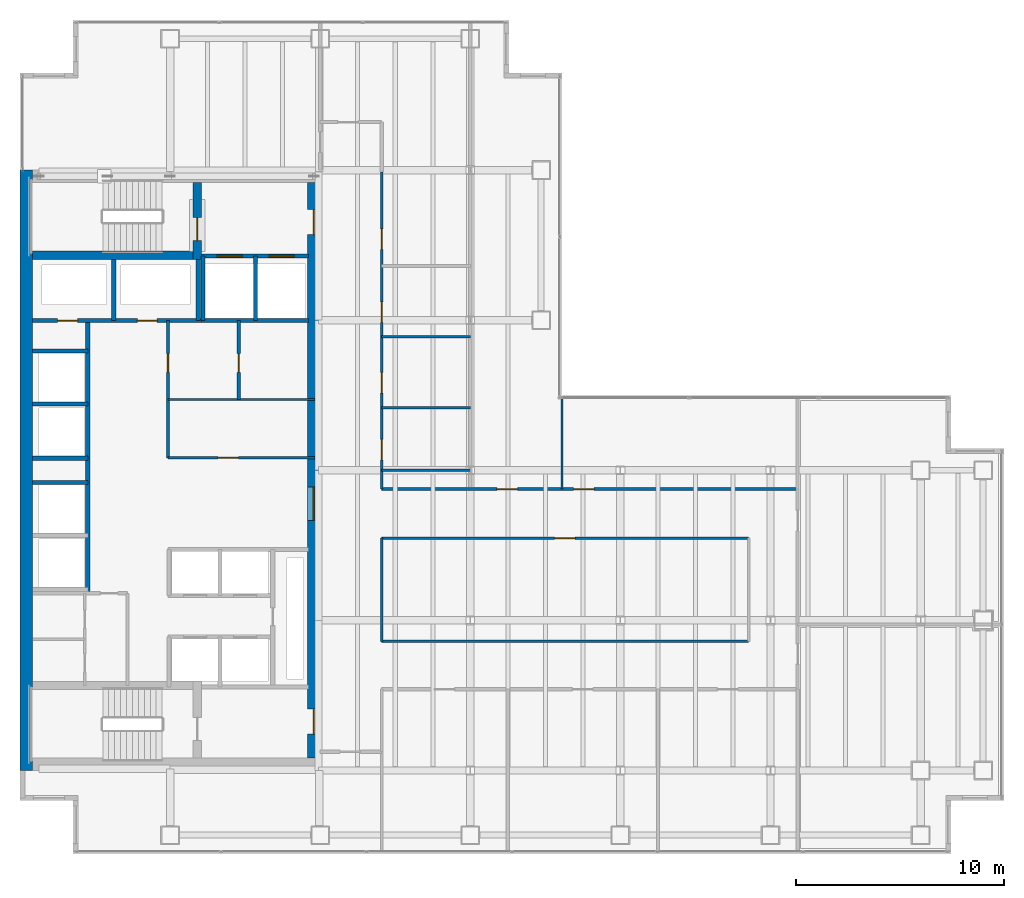
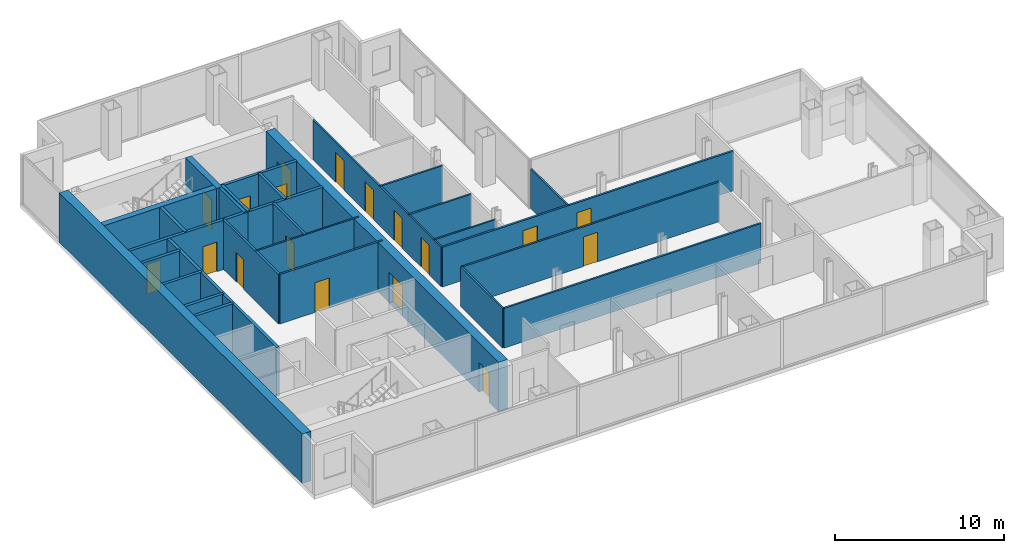
# One storey, part 21 of 23: 29 walls, 18 doors, 18 openings.
"""IFC4 building model written with IfcOpenShell, lengths in metres."""

from ifc_helpers import new_model, si_unit, direction, frame, frame_2d, origin, place, context, subcontext, project, spatial, rectangle, extrude, material, layer, layer_set, type_object, element, fill, save


model = new_model("IFC4")

# Units and contexts
model_context = context("Model", 3, precision=1e-05, world=origin(), true_north=direction((0.0, 1.0)))
body_context = subcontext(model_context, "Body", "Model", "MODEL_VIEW")
ifc_project = project(units=[si_unit("LENGTHUNIT", "METRE"), si_unit("AREAUNIT", "SQUARE_METRE"), si_unit("VOLUMEUNIT", "CUBIC_METRE"), si_unit("PLANEANGLEUNIT", "RADIAN"), si_unit("MASSUNIT", "GRAM", prefix="KILO")], contexts=[model_context])

# Site, building, storey
site_placement = place(None, origin())
site = spatial("IfcSite", under=ifc_project, at=site_placement, CompositionType="ELEMENT")
building_placement = place(site_placement, origin())
building = spatial("IfcBuilding", under=site, at=building_placement, Name="Cobrela Telecom Tower", CompositionType="ELEMENT")
storey_placement = place(building_placement, frame((0.0, 0.0, 129.14990234375)))
storey = spatial("IfcBuildingStorey", under=building, at=storey_placement, Name="L32", CompositionType="ELEMENT", Elevation=129.14990234375)

# Wall
ifc_material_1 = material(Name="Concrete C50/60", Category="concrete")
ifc_layer_1 = layer(ifc_material_1, 0.60009765625)
ifc_layer_set_1 = layer_set([ifc_layer_1], Name="Concrete C50/60")
wall_type_1 = type_object("IfcWallType", Name="WALL-CORE-C50-600", PredefinedType="SHEAR", material=ifc_layer_set_1)
wall_1_placement = place(storey_placement, frame((0.300048828125, 7.199951171875, 0.0), z_axis=(0.0, 0.0, 1.0), x_axis=(0.0, 1.0, 0.0)))
element("IfcWall", 1, at=wall_1_placement, inside=storey, type_object=wall_type_1, Name="L32 West Core Shear Wall", PredefinedType="SHEAR", context=body_context, shape_type="SweptSolid", body=[
    extrude(rectangle(XDim=28.800048828125, YDim=0.60009765625, at=frame_2d((14.39990234375, 0.0))), origin(), (0.0, 0.0, 1.0), 3.580078125),
])

# Wall, openings, doors
wall_2_placement = place(storey_placement, frame((14.10009765625, 35.39990234375, 0.0), z_axis=(0.0, 0.0, 1.0), x_axis=(0.0, -1.0, 0.0)))
wall_2 = element("IfcWall", 2, at=wall_2_placement, inside=storey, type_object=wall_type_1, Name="L32 East Core Shear Wall", PredefinedType="SHEAR", context=body_context, shape_type="SweptSolid", body=[
    extrude(rectangle(XDim=27.599853515625, YDim=0.60009765625, at=frame_2d((13.7998046875, 0.0))), origin(), (0.0, 0.0, 1.0), 3.580078125),
])
opening_1_placement = place(wall_2_placement, frame((1.300048828125, 0.0, 0.0)))
opening_1 = element("IfcOpeningElement", 3, at=opening_1_placement, cuts=wall_2, Name="Opening DR-19", PredefinedType="OPENING", context=body_context, shape_type="SweptSolid", body=[
    extrude(rectangle(XDim=1.199951171875, YDim=2.14990234375, at=frame_2d((0.60009765625, 1.074951171875))), frame((0.0, 0.31201171875, 0.0), z_axis=(0.0, -1.0, 0.0), x_axis=(1.0, 0.0, 0.0)), (0.0, 0.0, 1.0), 0.6240234375),
])
opening_2_placement = place(wall_2_placement, frame((25.25, 0.0, 0.0)))
opening_2 = element("IfcOpeningElement", 4, at=opening_2_placement, cuts=wall_2, Name="Opening DR-19", PredefinedType="OPENING", context=body_context, shape_type="SweptSolid", body=[
    extrude(rectangle(XDim=1.199951171875, YDim=2.14990234375, at=frame_2d((0.60009765625, 1.074951171875))), frame((0.0, 0.31201171875, 0.0), z_axis=(0.0, -1.0, 0.0), x_axis=(1.0, 0.0, 0.0)), (0.0, 0.0, 1.0), 0.6240234375),
])
opening_3_placement = place(wall_2_placement, frame((14.60009765625, 0.0, 0.0)))
opening_3 = element("IfcOpeningElement", 5, at=opening_3_placement, cuts=wall_2, Name="Opening DR-51", PredefinedType="OPENING", context=body_context, shape_type="SweptSolid", body=[
    extrude(rectangle(XDim=1.60009765625, YDim=2.199951171875, at=frame_2d((0.800048828125, 1.10009765625))), frame((0.0, 0.31201171875, 0.0), z_axis=(0.0, -1.0, 0.0), x_axis=(1.0, 0.0, 0.0)), (0.0, 0.0, 1.0), 0.6240234375),
])
ifc_material_2 = material(Name="Steel ASTM A36", Category="steel")
door_type_1 = type_object("IfcDoorType", Name="DOOR-FD60-1200", OperationType="SINGLE_SWING_LEFT", PredefinedType="DOOR", material=ifc_material_2)
door_1_placement = place(opening_1_placement, origin())
door_1 = element("IfcDoor", 6, at=door_1_placement, inside=storey, type_object=door_type_1, Name="L32 Door DR-19", OperationType="SINGLE_SWING_LEFT", OverallHeight=2.14990234375, OverallWidth=1.199951171875, PredefinedType="DOOR", context=body_context, shape_type="SweptSolid", body=[
    extrude(rectangle(XDim=1.199951171875, YDim=2.14990234375, at=frame_2d((0.60009765625, 1.074951171875))), frame((0.0, 0.02490234375, 0.0), z_axis=(0.0, -1.0, 0.0), x_axis=(1.0, 0.0, 0.0)), (0.0, 0.0, 1.0), 0.050048828125),
])
fill(opening_1, door_1)
door_2_placement = place(opening_2_placement, origin())
door_2 = element("IfcDoor", 7, at=door_2_placement, inside=storey, type_object=door_type_1, Name="L32 Door DR-19", OperationType="SINGLE_SWING_RIGHT", OverallHeight=2.14990234375, OverallWidth=1.199951171875, PredefinedType="DOOR", context=body_context, shape_type="SweptSolid", body=[
    extrude(rectangle(XDim=1.199951171875, YDim=2.14990234375, at=frame_2d((0.60009765625, 1.074951171875))), frame((0.0, 0.02490234375, 0.0), z_axis=(0.0, -1.0, 0.0), x_axis=(1.0, 0.0, 0.0)), (0.0, 0.0, 1.0), 0.050048828125),
])
fill(opening_2, door_2)
door_type_2 = type_object("IfcDoorType", Name="DOOR-FD60-1600", OperationType="SINGLE_SWING_LEFT", PredefinedType="DOOR", material=ifc_material_2)
door_3_placement = place(opening_3_placement, origin())
door_3 = element("IfcDoor", 8, at=door_3_placement, inside=storey, type_object=door_type_2, Name="L32 Door DR-51", OperationType="DOUBLE_DOOR_SINGLE_SWING", OverallHeight=2.199951171875, OverallWidth=1.60009765625, PredefinedType="DOOR", context=body_context, shape_type="SweptSolid", body=[
    extrude(rectangle(XDim=1.60009765625, YDim=2.199951171875, at=frame_2d((0.800048828125, 1.10009765625))), frame((0.0, 0.02490234375, 0.0), z_axis=(0.0, -1.0, 0.0), x_axis=(1.0, 0.0, 0.0)), (0.0, 0.0, 1.0), 0.050048828125),
])
fill(opening_3, door_3)

# Wall
ifc_material_3 = material(Name="Fire-Rated Gypsum Plasterboard")
ifc_layer_2 = layer(ifc_material_3, 0.110107421875)
ifc_layer_set_2 = layer_set([ifc_layer_2], Name="Fire-Rated Gypsum Plasterboard")
wall_type_2 = type_object("IfcWallType", Name="WALL-PART-110", PredefinedType="PARTITIONING", material=ifc_layer_set_2)
wall_3_placement = place(storey_placement, frame((7.10009765625, 25.0, 0.0), z_axis=(0.0, 0.0, 1.0), x_axis=(1.0, 0.0, 0.0)))
element("IfcWall", 9, at=wall_3_placement, inside=storey, type_object=wall_type_2, Name="L32 Interior Partition CW-RECL-H", PredefinedType="PARTITIONING", context=body_context, shape_type="SweptSolid", body=[
    extrude(rectangle(XDim=7.0498046875, YDim=0.110107421875, at=frame_2d((3.52490234375, 0.0))), origin(), (0.0, 0.0, 1.0), 3.580078125),
])

# Wall, openings, doors
wall_4_placement = place(storey_placement, frame((17.35009765625, 20.699951171875, 0.0), z_axis=(0.0, 0.0, 1.0), x_axis=(0.0, 1.0, 0.0)))
wall_4 = element("IfcWall", 10, at=wall_4_placement, inside=storey, type_object=wall_type_2, Name="L32 Interior Partition W-UW-E2", PredefinedType="PARTITIONING", context=body_context, shape_type="SweptSolid", body=[
    extrude(rectangle(XDim=15.199951171875, YDim=0.110107421875, at=frame_2d((7.60009765625, 0.0))), origin(), (0.0, 0.0, 1.0), 2.869140625),
])
opening_4_placement = place(wall_4_placement, frame((1.39990234375, 0.0, 0.0)))
opening_4 = element("IfcOpeningElement", 11, at=opening_4_placement, cuts=wall_4, Name="Opening DR-17", PredefinedType="OPENING", context=body_context, shape_type="SweptSolid", body=[
    extrude(rectangle(XDim=0.97998046875, YDim=2.14990234375, at=frame_2d((0.489990234375, 1.074951171875))), frame((0.0, 0.06689453125, 0.0), z_axis=(0.0, -1.0, 0.0), x_axis=(1.0, 0.0, 0.0)), (0.0, 0.0, 1.0), 0.134033203125),
])
opening_5_placement = place(wall_4_placement, frame((4.60009765625, 0.0, 0.0)))
opening_5 = element("IfcOpeningElement", 12, at=opening_5_placement, cuts=wall_4, Name="Opening DR-17", PredefinedType="OPENING", context=body_context, shape_type="SweptSolid", body=[
    extrude(rectangle(XDim=0.97998046875, YDim=2.14990234375, at=frame_2d((0.489990234375, 1.074951171875))), frame((0.0, 0.06689453125, 0.0), z_axis=(0.0, -1.0, 0.0), x_axis=(1.0, 0.0, 0.0)), (0.0, 0.0, 1.0), 0.134033203125),
])
opening_6_placement = place(wall_4_placement, frame((8.0, 0.0, 0.0)))
opening_6 = element("IfcOpeningElement", 13, at=opening_6_placement, cuts=wall_4, Name="Opening DR-17", PredefinedType="OPENING", context=body_context, shape_type="SweptSolid", body=[
    extrude(rectangle(XDim=0.97998046875, YDim=2.14990234375, at=frame_2d((0.489990234375, 1.074951171875))), frame((0.0, 0.06689453125, 0.0), z_axis=(0.0, -1.0, 0.0), x_axis=(1.0, 0.0, 0.0)), (0.0, 0.0, 1.0), 0.134033203125),
])
opening_7_placement = place(wall_4_placement, frame((11.5, 0.0, 0.0)))
opening_7 = element("IfcOpeningElement", 14, at=opening_7_placement, cuts=wall_4, Name="Opening DR-17", PredefinedType="OPENING", context=body_context, shape_type="SweptSolid", body=[
    extrude(rectangle(XDim=0.97998046875, YDim=2.14990234375, at=frame_2d((0.489990234375, 1.074951171875))), frame((0.0, 0.06689453125, 0.0), z_axis=(0.0, -1.0, 0.0), x_axis=(1.0, 0.0, 0.0)), (0.0, 0.0, 1.0), 0.134033203125),
])
ifc_material_4 = material(Name="Solid Engineered Oak Timber", Category="wood")
door_type_3 = type_object("IfcDoorType", Name="DOOR-INT-980", OperationType="SINGLE_SWING_LEFT", PredefinedType="DOOR", material=ifc_material_4)
door_4_placement = place(opening_4_placement, origin())
door_4 = element("IfcDoor", 15, at=door_4_placement, inside=storey, type_object=door_type_3, Name="L32 Door DR-17", OperationType="SINGLE_SWING_LEFT", OverallHeight=2.14990234375, OverallWidth=0.97998046875, PredefinedType="DOOR", context=body_context, shape_type="SweptSolid", body=[
    extrude(rectangle(XDim=0.97998046875, YDim=2.14990234375, at=frame_2d((0.489990234375, 1.074951171875))), frame((0.0, 0.02490234375, 0.0), z_axis=(0.0, -1.0, 0.0), x_axis=(1.0, 0.0, 0.0)), (0.0, 0.0, 1.0), 0.050048828125),
])
fill(opening_4, door_4)
door_5_placement = place(opening_5_placement, origin())
door_5 = element("IfcDoor", 16, at=door_5_placement, inside=storey, type_object=door_type_3, Name="L32 Door DR-17", OperationType="SINGLE_SWING_RIGHT", OverallHeight=2.14990234375, OverallWidth=0.97998046875, PredefinedType="DOOR", context=body_context, shape_type="SweptSolid", body=[
    extrude(rectangle(XDim=0.97998046875, YDim=2.14990234375, at=frame_2d((0.489990234375, 1.074951171875))), frame((0.0, 0.02490234375, 0.0), z_axis=(0.0, -1.0, 0.0), x_axis=(1.0, 0.0, 0.0)), (0.0, 0.0, 1.0), 0.050048828125),
])
fill(opening_5, door_5)
door_6_placement = place(opening_6_placement, origin())
door_6 = element("IfcDoor", 17, at=door_6_placement, inside=storey, type_object=door_type_3, Name="L32 Door DR-17", OperationType="SINGLE_SWING_LEFT", OverallHeight=2.14990234375, OverallWidth=0.97998046875, PredefinedType="DOOR", context=body_context, shape_type="SweptSolid", body=[
    extrude(rectangle(XDim=0.97998046875, YDim=2.14990234375, at=frame_2d((0.489990234375, 1.074951171875))), frame((0.0, 0.02490234375, 0.0), z_axis=(0.0, -1.0, 0.0), x_axis=(1.0, 0.0, 0.0)), (0.0, 0.0, 1.0), 0.050048828125),
])
fill(opening_6, door_6)
door_7_placement = place(opening_7_placement, origin())
door_7 = element("IfcDoor", 18, at=door_7_placement, inside=storey, type_object=door_type_3, Name="L32 Door DR-17", OperationType="SINGLE_SWING_RIGHT", OverallHeight=2.14990234375, OverallWidth=0.97998046875, PredefinedType="DOOR", context=body_context, shape_type="SweptSolid", body=[
    extrude(rectangle(XDim=0.97998046875, YDim=2.14990234375, at=frame_2d((0.489990234375, 1.074951171875))), frame((0.0, 0.02490234375, 0.0), z_axis=(0.0, -1.0, 0.0), x_axis=(1.0, 0.0, 0.0)), (0.0, 0.0, 1.0), 0.050048828125),
])
fill(opening_7, door_7)

# Walls
wall_5_placement = place(storey_placement, frame((17.35009765625, 21.60009765625, 0.0), z_axis=(0.0, 0.0, 1.0), x_axis=(1.0, 0.0, 0.0)))
element("IfcWall", 19, at=wall_5_placement, inside=storey, type_object=wall_type_2, Name="L32 Interior Partition W-WC-B", PredefinedType="PARTITIONING", context=body_context, shape_type="SweptSolid", body=[
    extrude(rectangle(XDim=4.25, YDim=0.110107421875, at=frame_2d((2.125, 0.0))), origin(), (0.0, 0.0, 1.0), 2.869140625),
])
wall_6_placement = place(storey_placement, frame((26.0, 20.699951171875, 0.0), z_axis=(0.0, 0.0, 1.0), x_axis=(0.0, 1.0, 0.0)))
element("IfcWall", 20, at=wall_6_placement, inside=storey, type_object=wall_type_2, Name="L32 Interior Partition W-UEN-W", PredefinedType="PARTITIONING", context=body_context, shape_type="SweptSolid", body=[
    extrude(rectangle(XDim=4.380126953125, YDim=0.110107421875, at=frame_2d((2.18994140625, 0.0))), origin(), (0.0, 0.0, 1.0), 2.869140625),
])
ifc_layer_3 = layer(ifc_material_3, 0.125)
ifc_layer_set_3 = layer_set([ifc_layer_3], Name="Fire-Rated Gypsum Plasterboard")
wall_type_3 = type_object("IfcWallType", Name="WALL-PART-125", PredefinedType="PARTITIONING", material=ifc_layer_set_3)
wall_7_placement = place(storey_placement, frame((17.35009765625, 13.39990234375, 0.0), z_axis=(0.0, 0.0, 1.0), x_axis=(0.0, 1.0, 0.0)))
element("IfcWall", 21, at=wall_7_placement, inside=storey, type_object=wall_type_3, Name="L32 Interior Partition W-ISL-W", PredefinedType="PARTITIONING", context=body_context, shape_type="SweptSolid", body=[
    extrude(rectangle(XDim=4.9501953125, YDim=0.125, at=frame_2d((2.47509765625, 0.0))), origin(), (0.0, 0.0, 1.0), 2.869140625),
])
wall_8_placement = place(storey_placement, frame((17.35009765625, 13.39990234375, 0.0), z_axis=(0.0, 0.0, 1.0), x_axis=(1.0, 0.0, 0.0)))
element("IfcWall", 22, at=wall_8_placement, inside=storey, type_object=wall_type_3, Name="L32 Interior Partition W-ISL-S", PredefinedType="PARTITIONING", context=body_context, shape_type="SweptSolid", body=[
    extrude(rectangle(XDim=17.599853515625, YDim=0.125, at=frame_2d((8.7998046875, 0.0))), origin(), (0.0, 0.0, 1.0), 2.869140625),
])

# Wall, opening, door
wall_9_placement = place(storey_placement, frame((17.35009765625, 18.35009765625, 0.0), z_axis=(0.0, 0.0, 1.0), x_axis=(1.0, 0.0, 0.0)))
wall_9 = element("IfcWall", 23, at=wall_9_placement, inside=storey, type_object=wall_type_3, Name="L32 Interior Partition W-ISL-N", PredefinedType="PARTITIONING", context=body_context, shape_type="SweptSolid", body=[
    extrude(rectangle(XDim=17.599853515625, YDim=0.125, at=frame_2d((8.7998046875, 0.0))), origin(), (0.0, 0.0, 1.0), 2.869140625),
])
opening_8_placement = place(wall_9_placement, frame((8.300048828125, 0.0, 0.0)))
opening_8 = element("IfcOpeningElement", 24, at=opening_8_placement, cuts=wall_9, Name="Opening DR-17", PredefinedType="OPENING", context=body_context, shape_type="SweptSolid", body=[
    extrude(rectangle(XDim=0.97998046875, YDim=2.14990234375, at=frame_2d((0.489990234375, 1.074951171875))), frame((0.0, 0.074462890625, 0.0), z_axis=(0.0, -1.0, 0.0), x_axis=(1.0, 0.0, 0.0)), (0.0, 0.0, 1.0), 0.14892578125),
])
door_8_placement = place(opening_8_placement, origin())
door_8 = element("IfcDoor", 25, at=door_8_placement, inside=storey, type_object=door_type_3, Name="L32 Door DR-17", OperationType="SINGLE_SWING_LEFT", OverallHeight=2.14990234375, OverallWidth=0.97998046875, PredefinedType="DOOR", context=body_context, shape_type="SweptSolid", body=[
    extrude(rectangle(XDim=0.97998046875, YDim=2.14990234375, at=frame_2d((0.489990234375, 1.074951171875))), frame((0.0, 0.02490234375, 0.0), z_axis=(0.0, -1.0, 0.0), x_axis=(1.0, 0.0, 0.0)), (0.0, 0.0, 1.0), 0.050048828125),
])
fill(opening_8, door_8)

# Walls
for number, where, z_axis, x_axis, name in (
    (26, (17.35009765625, 24.60009765625, 0.0), (0.0, 0.0, 1.0), (1.0, 0.0, 0.0), "L32 Interior Partition W-WC-1"),
    (27, (17.35009765625, 28.0, 0.0), (0.0, 0.0, 1.0), (1.0, 0.0, 0.0), "L32 Interior Partition W-WC-2"),
):
    element("IfcWall", number, at=place(storey_placement, frame(where, z_axis=z_axis, x_axis=x_axis)), inside=storey, type_object=wall_type_3, Name=name, PredefinedType="PARTITIONING", context=body_context, shape_type="SweptSolid", body=[
        extrude(rectangle(XDim=4.25, YDim=0.125, at=frame_2d((2.125, 0.0))), origin(), (0.0, 0.0, 1.0), 2.869140625),
    ])

# Wall, opening, door
ifc_layer_4 = layer(ifc_material_3, 0.135009765625)
ifc_layer_set_4 = layer_set([ifc_layer_4], Name="Fire-Rated Gypsum Plasterboard")
wall_type_4 = type_object("IfcWallType", Name="WALL-PART-135", PredefinedType="PARTITIONING", material=ifc_layer_set_4)
wall_10_placement = place(storey_placement, frame((7.10009765625, 22.199951171875, 0.0), z_axis=(0.0, 0.0, 1.0), x_axis=(1.0, 0.0, 0.0)))
wall_10 = element("IfcWall", 28, at=wall_10_placement, inside=storey, type_object=wall_type_4, Name="L32 Interior Partition CW-RECL-S", PredefinedType="PARTITIONING", context=body_context, shape_type="SweptSolid", body=[
    extrude(rectangle(XDim=7.0498046875, YDim=0.135009765625, at=frame_2d((3.52490234375, 0.0))), origin(), (0.0, 0.0, 1.0), 3.580078125),
])
opening_9_placement = place(wall_10_placement, frame((2.39990234375, 0.0, 0.0)))
opening_9 = element("IfcOpeningElement", 29, at=opening_9_placement, cuts=wall_10, Name="Opening DR-17", PredefinedType="OPENING", context=body_context, shape_type="SweptSolid", body=[
    extrude(rectangle(XDim=0.97998046875, YDim=2.14990234375, at=frame_2d((0.489990234375, 1.074951171875))), frame((0.0, 0.07958984375, 0.0), z_axis=(0.0, -1.0, 0.0), x_axis=(1.0, 0.0, 0.0)), (0.0, 0.0, 1.0), 0.158935546875),
])
door_9_placement = place(opening_9_placement, origin())
door_9 = element("IfcDoor", 30, at=door_9_placement, inside=storey, type_object=door_type_3, Name="L32 Door DR-17", OperationType="SINGLE_SWING_LEFT", OverallHeight=2.14990234375, OverallWidth=0.97998046875, PredefinedType="DOOR", context=body_context, shape_type="SweptSolid", body=[
    extrude(rectangle(XDim=0.97998046875, YDim=2.14990234375, at=frame_2d((0.489990234375, 1.074951171875))), frame((0.0, 0.02490234375, 0.0), z_axis=(0.0, -1.0, 0.0), x_axis=(1.0, 0.0, 0.0)), (0.0, 0.0, 1.0), 0.050048828125),
])
fill(opening_9, door_9)

# Wall, openings, doors
wall_11_placement = place(storey_placement, frame((17.35009765625, 20.699951171875, 0.0), z_axis=(0.0, 0.0, 1.0), x_axis=(1.0, 0.0, 0.0)))
wall_11 = element("IfcWall", 31, at=wall_11_placement, inside=storey, type_object=wall_type_4, Name="L32 Interior Partition W-UN-N", PredefinedType="PARTITIONING", context=body_context, shape_type="SweptSolid", body=[
    extrude(rectangle(XDim=19.949951171875, YDim=0.135009765625, at=frame_2d((9.97509765625, 0.0))), origin(), (0.0, 0.0, 1.0), 2.869140625),
])
opening_10_placement = place(wall_11_placement, frame((5.52001953125, 0.0, 0.0)))
opening_10 = element("IfcOpeningElement", 32, at=opening_10_placement, cuts=wall_11, Name="Opening DR-31", PredefinedType="OPENING", context=body_context, shape_type="SweptSolid", body=[
    extrude(rectangle(XDim=1.0, YDim=2.14990234375, at=frame_2d((0.5, 1.074951171875))), frame((0.0, 0.07958984375, 0.0), z_axis=(0.0, -1.0, 0.0), x_axis=(1.0, 0.0, 0.0)), (0.0, 0.0, 1.0), 0.158935546875),
])
opening_11_placement = place(wall_11_placement, frame((9.2099609375, 0.0, 0.0)))
opening_11 = element("IfcOpeningElement", 33, at=opening_11_placement, cuts=wall_11, Name="Opening DR-17", PredefinedType="OPENING", context=body_context, shape_type="SweptSolid", body=[
    extrude(rectangle(XDim=0.97998046875, YDim=2.14990234375, at=frame_2d((0.489990234375, 1.074951171875))), frame((0.0, 0.07958984375, 0.0), z_axis=(0.0, -1.0, 0.0), x_axis=(1.0, 0.0, 0.0)), (0.0, 0.0, 1.0), 0.158935546875),
])
door_type_4 = type_object("IfcDoorType", Name="DOOR-INT-1000", OperationType="SINGLE_SWING_LEFT", PredefinedType="DOOR", material=ifc_material_4)
door_10_placement = place(opening_10_placement, origin())
door_10 = element("IfcDoor", 34, at=door_10_placement, inside=storey, type_object=door_type_4, Name="L32 Door DR-31", OperationType="SINGLE_SWING_LEFT", OverallHeight=2.14990234375, OverallWidth=1.0, PredefinedType="DOOR", context=body_context, shape_type="SweptSolid", body=[
    extrude(rectangle(XDim=1.0, YDim=2.14990234375, at=frame_2d((0.5, 1.074951171875))), frame((0.0, 0.02490234375, 0.0), z_axis=(0.0, -1.0, 0.0), x_axis=(1.0, 0.0, 0.0)), (0.0, 0.0, 1.0), 0.050048828125),
])
fill(opening_10, door_10)
door_11_placement = place(opening_11_placement, origin())
door_11 = element("IfcDoor", 35, at=door_11_placement, inside=storey, type_object=door_type_3, Name="L32 Door DR-17", OperationType="SINGLE_SWING_RIGHT", OverallHeight=2.14990234375, OverallWidth=0.97998046875, PredefinedType="DOOR", context=body_context, shape_type="SweptSolid", body=[
    extrude(rectangle(XDim=0.97998046875, YDim=2.14990234375, at=frame_2d((0.489990234375, 1.074951171875))), frame((0.0, 0.02490234375, 0.0), z_axis=(0.0, -1.0, 0.0), x_axis=(1.0, 0.0, 0.0)), (0.0, 0.0, 1.0), 0.050048828125),
])
fill(opening_11, door_11)

# Wall, opening, door
ifc_layer_5 = layer(ifc_material_3, 0.14990234375)
ifc_layer_set_5 = layer_set([ifc_layer_5], Name="Fire-Rated Gypsum Plasterboard")
wall_type_5 = type_object("IfcWallType", Name="WALL-PART-150", PredefinedType="PARTITIONING", material=ifc_layer_set_5)
wall_12_placement = place(storey_placement, frame((7.10009765625, 22.199951171875, 0.0), z_axis=(0.0, 0.0, 1.0), x_axis=(0.0, 1.0, 0.0)))
wall_12 = element("IfcWall", 36, at=wall_12_placement, inside=storey, type_object=wall_type_5, Name="L32 Interior Partition CW-RECL-W", PredefinedType="PARTITIONING", context=body_context, shape_type="SweptSolid", body=[
    extrude(rectangle(XDim=6.580078125, YDim=0.14990234375, at=frame_2d((3.2900390625, 0.0))), origin(), (0.0, 0.0, 1.0), 3.580078125),
])
opening_12_placement = place(wall_12_placement, frame((4.10009765625, 0.0, 0.0)))
opening_12 = element("IfcOpeningElement", 37, at=opening_12_placement, cuts=wall_12, Name="Opening DR-41", PredefinedType="OPENING", context=body_context, shape_type="SweptSolid", body=[
    extrude(rectangle(XDim=0.89990234375, YDim=2.14990234375, at=frame_2d((0.449951171875, 1.074951171875))), frame((0.0, 0.0869140625, 0.0), z_axis=(0.0, -1.0, 0.0), x_axis=(1.0, 0.0, 0.0)), (0.0, 0.0, 1.0), 0.173828125),
])
door_type_5 = type_object("IfcDoorType", Name="DOOR-INT-900", OperationType="SINGLE_SWING_LEFT", PredefinedType="DOOR", material=ifc_material_4)
door_12_placement = place(opening_12_placement, origin())
door_12 = element("IfcDoor", 38, at=door_12_placement, inside=storey, type_object=door_type_5, Name="L32 Door DR-41", OperationType="SINGLE_SWING_RIGHT", OverallHeight=2.14990234375, OverallWidth=0.89990234375, PredefinedType="DOOR", context=body_context, shape_type="SweptSolid", body=[
    extrude(rectangle(XDim=0.89990234375, YDim=2.14990234375, at=frame_2d((0.449951171875, 1.074951171875))), frame((0.0, 0.02490234375, 0.0), z_axis=(0.0, -1.0, 0.0), x_axis=(1.0, 0.0, 0.0)), (0.0, 0.0, 1.0), 0.050048828125),
])
fill(opening_12, door_12)

ifc_layer_6 = layer(ifc_material_3, 0.159912109375)
ifc_layer_set_6 = layer_set([ifc_layer_6], Name="Fire-Rated Gypsum Plasterboard")
wall_type_6 = type_object("IfcWallType", Name="WALL-PART-160", PredefinedType="PARTITIONING", material=ifc_layer_set_6)
wall_13_placement = place(storey_placement, frame((10.5, 25.0, 0.0), z_axis=(0.0, 0.0, 1.0), x_axis=(0.0, 1.0, 0.0)))
wall_13 = element("IfcWall", 39, at=wall_13_placement, inside=storey, type_object=wall_type_6, Name="L32 Interior Partition CW-RECL-VN", PredefinedType="PARTITIONING", context=body_context, shape_type="SweptSolid", body=[
    extrude(rectangle(XDim=3.780029296875, YDim=0.159912109375, at=frame_2d((1.89013671875, 0.0))), origin(), (0.0, 0.0, 1.0), 3.580078125),
])
opening_13_placement = place(wall_13_placement, frame((1.300048828125, 0.0, 0.0)))
opening_13 = element("IfcOpeningElement", 40, at=opening_13_placement, cuts=wall_13, Name="Opening DR-41", PredefinedType="OPENING", context=body_context, shape_type="SweptSolid", body=[
    extrude(rectangle(XDim=0.89990234375, YDim=2.14990234375, at=frame_2d((0.449951171875, 1.074951171875))), frame((0.0, 0.091796875, 0.0), z_axis=(0.0, -1.0, 0.0), x_axis=(1.0, 0.0, 0.0)), (0.0, 0.0, 1.0), 0.183837890625),
])
door_13_placement = place(opening_13_placement, origin())
door_13 = element("IfcDoor", 41, at=door_13_placement, inside=storey, type_object=door_type_5, Name="L32 Door DR-41", OperationType="SINGLE_SWING_LEFT", OverallHeight=2.14990234375, OverallWidth=0.89990234375, PredefinedType="DOOR", context=body_context, shape_type="SweptSolid", body=[
    extrude(rectangle(XDim=0.89990234375, YDim=2.14990234375, at=frame_2d((0.449951171875, 1.074951171875))), frame((0.0, 0.02490234375, 0.0), z_axis=(0.0, -1.0, 0.0), x_axis=(1.0, 0.0, 0.0)), (0.0, 0.0, 1.0), 0.050048828125),
])
fill(opening_13, door_13)

# Wall, openings, doors
ifc_layer_7 = layer(ifc_material_3, 0.199951171875)
ifc_layer_set_7 = layer_set([ifc_layer_7], Name="Fire-Rated Gypsum Plasterboard")
wall_type_7 = type_object("IfcWallType", Name="WALL-SHAFT-200", PredefinedType="PARTITIONING", material=ifc_layer_set_7)
wall_14_placement = place(storey_placement, frame((8.699951171875, 31.8798828125, 0.0), z_axis=(0.0, 0.0, 1.0), x_axis=(1.0, 0.0, 0.0)))
wall_14 = element("IfcWall", 42, at=wall_14_placement, inside=storey, type_object=wall_type_7, Name="L32 Shaft Enclosure CW-FFL-S", PredefinedType="PARTITIONING", context=body_context, shape_type="SweptSolid", body=[
    extrude(rectangle(XDim=5.150146484375, YDim=0.199951171875, at=frame_2d((2.5751953125, 0.0))), origin(), (0.0, 0.0, 1.0), 3.580078125),
])
opening_14_placement = place(wall_14_placement, frame((0.75, 0.0, 0.0)))
opening_14 = element("IfcOpeningElement", 43, at=opening_14_placement, cuts=wall_14, Name="Opening LD-2", PredefinedType="OPENING", context=body_context, shape_type="SweptSolid", body=[
    extrude(rectangle(XDim=1.199951171875, YDim=2.199951171875, at=frame_2d((0.60009765625, 1.10009765625))), frame((0.0, 0.11181640625, 0.0), z_axis=(0.0, -1.0, 0.0), x_axis=(1.0, 0.0, 0.0)), (0.0, 0.0, 1.0), 0.223876953125),
])
opening_15_placement = place(wall_14_placement, frame((3.25, 0.0, 0.0)))
opening_15 = element("IfcOpeningElement", 44, at=opening_15_placement, cuts=wall_14, Name="Opening LD-2", PredefinedType="OPENING", context=body_context, shape_type="SweptSolid", body=[
    extrude(rectangle(XDim=1.199951171875, YDim=2.199951171875, at=frame_2d((0.60009765625, 1.10009765625))), frame((0.0, 0.11181640625, 0.0), z_axis=(0.0, -1.0, 0.0), x_axis=(1.0, 0.0, 0.0)), (0.0, 0.0, 1.0), 0.223876953125),
])
door_type_6 = type_object("IfcDoorType", Name="DOOR-LD-FFL", OperationType="SINGLE_SWING_LEFT", PredefinedType="DOOR", material=ifc_material_2)
door_14_placement = place(opening_14_placement, origin())
door_14 = element("IfcDoor", 45, at=door_14_placement, inside=storey, type_object=door_type_6, Name="L32 Lift Landing Door LD-2", OperationType="DOUBLE_DOOR_SLIDING", OverallHeight=2.199951171875, OverallWidth=1.199951171875, PredefinedType="DOOR", context=body_context, shape_type="SweptSolid", body=[
    extrude(rectangle(XDim=1.199951171875, YDim=2.199951171875, at=frame_2d((0.60009765625, 1.10009765625))), frame((0.0, 0.02490234375, 0.0), z_axis=(0.0, -1.0, 0.0), x_axis=(1.0, 0.0, 0.0)), (0.0, 0.0, 1.0), 0.050048828125),
])
fill(opening_14, door_14)
door_15_placement = place(opening_15_placement, origin())
door_15 = element("IfcDoor", 46, at=door_15_placement, inside=storey, type_object=door_type_6, Name="L32 Lift Landing Door LD-2", OperationType="DOUBLE_DOOR_SLIDING", OverallHeight=2.199951171875, OverallWidth=1.199951171875, PredefinedType="DOOR", context=body_context, shape_type="SweptSolid", body=[
    extrude(rectangle(XDim=1.199951171875, YDim=2.199951171875, at=frame_2d((0.60009765625, 1.10009765625))), frame((0.0, 0.02490234375, 0.0), z_axis=(0.0, -1.0, 0.0), x_axis=(1.0, 0.0, 0.0)), (0.0, 0.0, 1.0), 0.050048828125),
])
fill(opening_15, door_15)

# Walls
wall_15_placement = place(storey_placement, frame((8.699951171875, 28.780029296875, 0.0), z_axis=(0.0, 0.0, 1.0), x_axis=(1.0, 0.0, 0.0)))
element("IfcWall", 47, at=wall_15_placement, inside=storey, type_object=wall_type_7, Name="L32 Shaft Enclosure CW-FFL-S2", PredefinedType="PARTITIONING", context=body_context, shape_type="SweptSolid", body=[
    extrude(rectangle(XDim=5.150146484375, YDim=0.199951171875, at=frame_2d((2.5751953125, 0.0))), origin(), (0.0, 0.0, 1.0), 3.580078125),
])
for number, where, z_axis, x_axis, name in (
    (48, (8.780029296875, 28.780029296875, 0.0), (0.0, 0.0, 1.0), (0.0, 1.0, 0.0), "L32 Shaft Enclosure CW-FFL-W"),
    (49, (11.300048828125, 28.780029296875, 0.0), (0.0, 0.0, 1.0), (0.0, 1.0, 0.0), "L32 Shaft Enclosure CW-FFL-M"),
):
    element("IfcWall", number, at=place(storey_placement, frame(where, z_axis=z_axis, x_axis=x_axis)), inside=storey, type_object=wall_type_7, Name=name, PredefinedType="PARTITIONING", context=body_context, shape_type="SweptSolid", body=[
        extrude(rectangle(XDim=3.099853515625, YDim=0.199951171875, at=frame_2d((1.5498046875, 0.0))), origin(), (0.0, 0.0, 1.0), 3.580078125),
    ])

# Wall, openings, doors
wall_16_placement = place(storey_placement, frame((0.60009765625, 28.780029296875, 0.0), z_axis=(0.0, 0.0, 1.0), x_axis=(1.0, 0.0, 0.0)))
wall_16 = element("IfcWall", 50, at=wall_16_placement, inside=storey, type_object=wall_type_7, Name="L32 Shaft Enclosure CW-RIS-S", PredefinedType="PARTITIONING", context=body_context, shape_type="SweptSolid", body=[
    extrude(rectangle(XDim=8.179931640625, YDim=0.199951171875, at=frame_2d((4.08984375, 0.0))), origin(), (0.0, 0.0, 1.0), 3.580078125),
])
opening_16_placement = place(wall_16_placement, frame((1.2099609375, 0.0, 0.0)))
opening_16 = element("IfcOpeningElement", 51, at=opening_16_placement, cuts=wall_16, Name="Opening DR-65", PredefinedType="OPENING", context=body_context, shape_type="SweptSolid", body=[
    extrude(rectangle(XDim=0.949951171875, YDim=2.14990234375, at=frame_2d((0.47509765625, 1.074951171875))), frame((0.0, 0.11181640625, 0.0), z_axis=(0.0, -1.0, 0.0), x_axis=(1.0, 0.0, 0.0)), (0.0, 0.0, 1.0), 0.223876953125),
])
opening_17_placement = place(wall_16_placement, frame((5.030029296875, 0.0, 0.0)))
opening_17 = element("IfcOpeningElement", 52, at=opening_17_placement, cuts=wall_16, Name="Opening DR-65", PredefinedType="OPENING", context=body_context, shape_type="SweptSolid", body=[
    extrude(rectangle(XDim=0.949951171875, YDim=2.14990234375, at=frame_2d((0.47509765625, 1.074951171875))), frame((0.0, 0.11181640625, 0.0), z_axis=(0.0, -1.0, 0.0), x_axis=(1.0, 0.0, 0.0)), (0.0, 0.0, 1.0), 0.223876953125),
])
door_type_7 = type_object("IfcDoorType", Name="DOOR-FD60-950", OperationType="SINGLE_SWING_LEFT", PredefinedType="DOOR", material=ifc_material_2)
door_16_placement = place(opening_16_placement, origin())
door_16 = element("IfcDoor", 53, at=door_16_placement, inside=storey, type_object=door_type_7, Name="L32 Door DR-65", OperationType="SINGLE_SWING_LEFT", OverallHeight=2.14990234375, OverallWidth=0.949951171875, PredefinedType="DOOR", context=body_context, shape_type="SweptSolid", body=[
    extrude(rectangle(XDim=0.949951171875, YDim=2.14990234375, at=frame_2d((0.47509765625, 1.074951171875))), frame((0.0, 0.02490234375, 0.0), z_axis=(0.0, -1.0, 0.0), x_axis=(1.0, 0.0, 0.0)), (0.0, 0.0, 1.0), 0.050048828125),
])
fill(opening_16, door_16)
door_17_placement = place(opening_17_placement, origin())
door_17 = element("IfcDoor", 54, at=door_17_placement, inside=storey, type_object=door_type_7, Name="L32 Door DR-65", OperationType="SINGLE_SWING_RIGHT", OverallHeight=2.14990234375, OverallWidth=0.949951171875, PredefinedType="DOOR", context=body_context, shape_type="SweptSolid", body=[
    extrude(rectangle(XDim=0.949951171875, YDim=2.14990234375, at=frame_2d((0.47509765625, 1.074951171875))), frame((0.0, 0.02490234375, 0.0), z_axis=(0.0, -1.0, 0.0), x_axis=(1.0, 0.0, 0.0)), (0.0, 0.0, 1.0), 0.050048828125),
])
fill(opening_17, door_17)

# Walls
for number, where, z_axis, x_axis, name in (
    (55, (4.5, 28.780029296875, 0.0), (0.0, 0.0, 1.0), (0.0, 1.0, 0.0), "L32 Shaft Enclosure CW-RIS-M"),
    (56, (8.550048828125, 28.780029296875, 0.0), (0.0, 0.0, 1.0), (0.0, 1.0, 0.0), "L32 Shaft Enclosure CW-RIS-E"),
):
    element("IfcWall", number, at=place(storey_placement, frame(where, z_axis=z_axis, x_axis=x_axis)), inside=storey, type_object=wall_type_7, Name=name, PredefinedType="PARTITIONING", context=body_context, shape_type="SweptSolid", body=[
        extrude(rectangle(XDim=2.93994140625, YDim=0.199951171875, at=frame_2d((1.469970703125, 0.0))), origin(), (0.0, 0.0, 1.0), 3.580078125),
    ])
wall_17_placement = place(storey_placement, frame((3.25, 15.699951171875, 0.0), z_axis=(0.0, 0.0, 1.0), x_axis=(0.0, 1.0, 0.0)))
element("IfcWall", 57, at=wall_17_placement, inside=storey, type_object=wall_type_7, Name="L32 Shaft Enclosure CW-PLH-E", PredefinedType="PARTITIONING", context=body_context, shape_type="SweptSolid", body=[
    extrude(rectangle(XDim=13.080078125, YDim=0.199951171875, at=frame_2d((6.5400390625, 0.0))), origin(), (0.0, 0.0, 1.0), 3.580078125),
])
for number, where, z_axis, x_axis, name in (
    (58, (0.60009765625, 22.179931640625, 0.0), (0.0, 0.0, 1.0), (1.0, 0.0, 0.0), "L32 Shaft Enclosure CW-PLH-D11"),
    (59, (0.60009765625, 24.780029296875, 0.0), (0.0, 0.0, 1.0), (1.0, 0.0, 0.0), "L32 Shaft Enclosure CW-PLH-D12"),
    (60, (0.60009765625, 21.02001953125, 0.0), (0.0, 0.0, 1.0), (1.0, 0.0, 0.0), "L32 Shaft Enclosure CW-PLH-MID"),
    (61, (0.60009765625, 27.320068359375, 0.0), (0.0, 0.0, 1.0), (1.0, 0.0, 0.0), "L32 Shaft Enclosure CW-PLH-TOP"),
):
    element("IfcWall", number, at=place(storey_placement, frame(where, z_axis=z_axis, x_axis=x_axis)), inside=storey, type_object=wall_type_7, Name=name, PredefinedType="PARTITIONING", context=body_context, shape_type="SweptSolid", body=[
        extrude(rectangle(XDim=2.64990234375, YDim=0.199951171875, at=frame_2d((1.324951171875, 0.0))), origin(), (0.0, 0.0, 1.0), 3.580078125),
    ])
ifc_material_5 = material(Name="Concrete C40/50", Category="concrete")
ifc_layer_8 = layer(ifc_material_5, 0.39990234375)
ifc_layer_set_8 = layer_set([ifc_layer_8], Name="Concrete C40/50")
wall_type_8 = type_object("IfcWallType", Name="WALL-SHAFT-C40-400", PredefinedType="SHEAR", material=ifc_layer_set_8)
wall_18_placement = place(storey_placement, frame((0.60009765625, 31.919921875, 0.0), z_axis=(0.0, 0.0, 1.0), x_axis=(1.0, 0.0, 0.0)))
element("IfcWall", 62, at=wall_18_placement, inside=storey, type_object=wall_type_8, Name="L32 North Stair Shear Wall", PredefinedType="SHEAR", context=body_context, shape_type="SweptSolid", body=[
    extrude(rectangle(XDim=7.699951171875, YDim=0.39990234375, at=frame_2d((3.85009765625, 0.0))), origin(), (0.0, 0.0, 1.0), 3.580078125),
])

# Wall, opening, door
wall_19_placement = place(storey_placement, frame((8.5, 31.719970703125, 0.0), z_axis=(0.0, 0.0, 1.0), x_axis=(0.0, 1.0, 0.0)))
wall_19 = element("IfcWall", 63, at=wall_19_placement, inside=storey, type_object=wall_type_8, Name="L32 North Stair Lobby Shear Wall", PredefinedType="SHEAR", context=body_context, shape_type="SweptSolid", body=[
    extrude(rectangle(XDim=3.679931640625, YDim=0.39990234375, at=frame_2d((1.83984375, 0.0))), origin(), (0.0, 0.0, 1.0), 3.580078125),
])
opening_18_placement = place(wall_19_placement, frame((0.89990234375, 0.0, 0.0)))
opening_18 = element("IfcOpeningElement", 64, at=opening_18_placement, cuts=wall_19, Name="Opening DR-59", PredefinedType="OPENING", context=body_context, shape_type="SweptSolid", body=[
    extrude(rectangle(XDim=1.10009765625, YDim=2.14990234375, at=frame_2d((0.550048828125, 1.074951171875))), frame((0.0, 0.2119140625, 0.0), z_axis=(0.0, -1.0, 0.0), x_axis=(1.0, 0.0, 0.0)), (0.0, 0.0, 1.0), 0.423828125),
])
door_type_8 = type_object("IfcDoorType", Name="DOOR-FD60-1100", OperationType="SINGLE_SWING_LEFT", PredefinedType="DOOR", material=ifc_material_2)
door_18_placement = place(opening_18_placement, origin())
door_18 = element("IfcDoor", 65, at=door_18_placement, inside=storey, type_object=door_type_8, Name="L32 Door DR-59", OperationType="SINGLE_SWING_RIGHT", OverallHeight=2.14990234375, OverallWidth=1.10009765625, PredefinedType="DOOR", context=body_context, shape_type="SweptSolid", body=[
    extrude(rectangle(XDim=1.10009765625, YDim=2.14990234375, at=frame_2d((0.550048828125, 1.074951171875))), frame((0.0, 0.02490234375, 0.0), z_axis=(0.0, -1.0, 0.0), x_axis=(1.0, 0.0, 0.0)), (0.0, 0.0, 1.0), 0.050048828125),
])
fill(opening_18, door_18)

save(model, "model.ifc")
